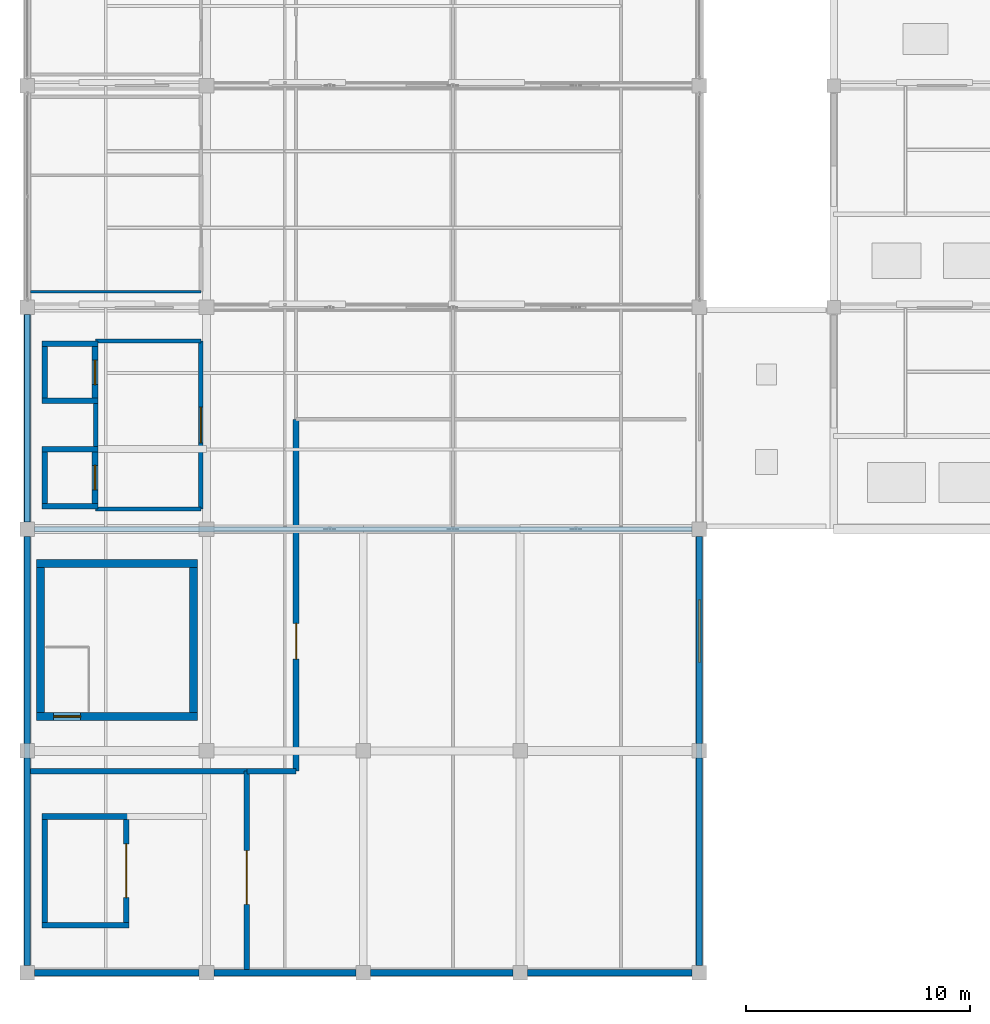
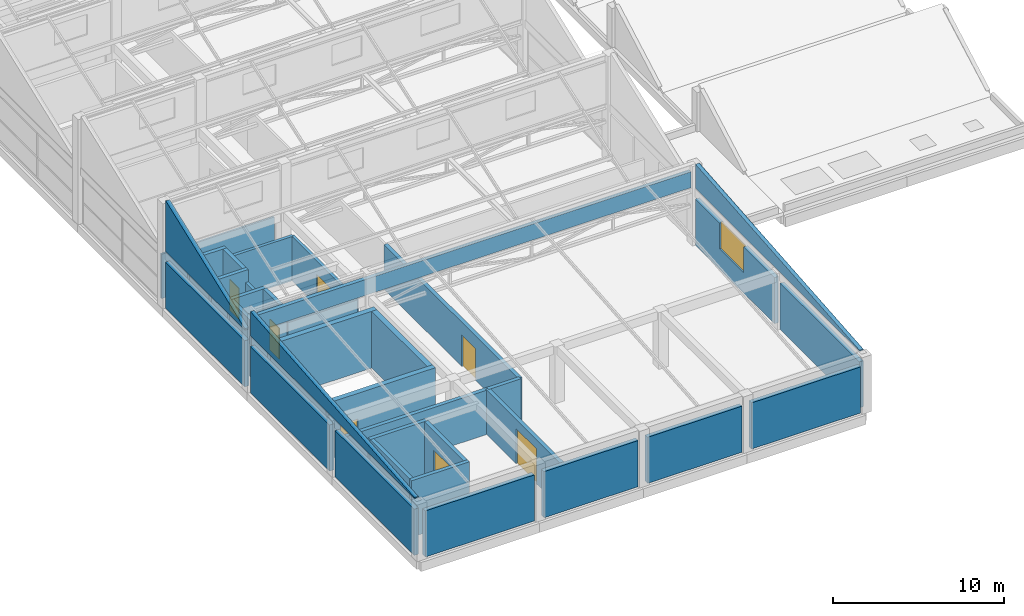
# One storey, part 29 of 35: 38 walls, 7 doors, 1 window, 8 openings.
"""IFC4 building model written with IfcOpenShell, lengths in metres."""

import ifcopenshell
import ifcopenshell.guid

model = None  # the IFC model being written
_history = None  # IfcOwnerHistory: only IFC2X3 demands one
_inside = {}  # id of a spatial element -> (the spatial element, [elements in it])
_under = {}  # id of a project, library or spatial element -> (it, [spatial elements below it])
_declared = {}  # id of a project -> (the project, [libraries it declares])
_typed = {}  # id of a type object -> (the type object, [elements of that type])
_made_of = {}  # id of a material, layer set ... -> (it, [elements and type objects made of it])


def new_model(schema):
    """Start an empty IFC model of exactly this schema.

    Asked for "IFC4X3", IfcOpenShell would pick the latest addendum, in which some entities
    have other attributes; the version numbers below select the first issue.
    IFC2X3 requires an IfcOwnerHistory on every rooted entity: one is made here for all.
    """
    global model, _history
    if schema == "IFC4X3":
        model = ifcopenshell.file(schema_version=(4, 3, 0, 0))
    else:
        model = ifcopenshell.file(schema=schema)
    _inside.clear()
    _under.clear()
    _declared.clear()
    _typed.clear()
    _made_of.clear()
    _history = None
    if model.schema == "IFC2X3":
        org = make("IfcOrganization", Name="unknown")
        user = make(
            "IfcPersonAndOrganization",
            ThePerson=make("IfcPerson", FamilyName="unknown"),
            TheOrganization=org,
        )
        app = make(
            "IfcApplication",
            ApplicationDeveloper=org,
            Version="unknown",
            ApplicationFullName="unknown",
            ApplicationIdentifier="unknown",
        )
        _history = make(
            "IfcOwnerHistory",
            OwningUser=user,
            OwningApplication=app,
            ChangeAction="ADDED",
            CreationDate=0,
        )
    return model


def make(cls, **values):
    """One entity of the class cls with the attributes given. An attribute that is None is left unset."""
    return model.create_entity(
        cls, **{name: value for name, value in values.items() if value is not None}
    )


def rooted(cls, **values):
    """An entity with a GlobalId (a new one), such as an element, a storey or a relation."""
    return make(cls, GlobalId=ifcopenshell.guid.new(), OwnerHistory=_history, **values)


def si_unit(unit_type, name, prefix=None):
    """IfcSIUnit, for example si_unit("LENGTHUNIT", "METRE", prefix="MILLI")."""
    return make("IfcSIUnit", UnitType=unit_type, Prefix=prefix, Name=name)


def assignment(units):
    """IfcUnitAssignment: the units of a project."""
    return None if units is None else make("IfcUnitAssignment", Units=units)


def point(xyz):
    """IfcCartesianPoint."""
    return None if xyz is None else make("IfcCartesianPoint", Coordinates=xyz)


def direction(xyz):
    """IfcDirection."""
    return None if xyz is None else make("IfcDirection", DirectionRatios=xyz)


def frame(location, z_axis=None, x_axis=None):
    """IfcAxis2Placement3D, a coordinate frame: its origin and axes. An axis left out is left unset."""
    return make(
        "IfcAxis2Placement3D",
        Location=point(location),
        Axis=direction(z_axis),
        RefDirection=direction(x_axis),
    )


def frame_2d(location, x_axis=None):
    """IfcAxis2Placement2D, a coordinate frame in the plane: its origin and x axis."""
    return make(
        "IfcAxis2Placement2D", Location=point(location), RefDirection=direction(x_axis)
    )


def origin():
    """The frame at (0, 0, 0) with its axes left unset."""
    return frame((0.0, 0.0, 0.0))


def place(relative_to, where):
    """IfcLocalPlacement: puts the frame where relative to a parent placement (None: the world)."""
    return make(
        "IfcLocalPlacement", PlacementRelTo=relative_to, RelativePlacement=where
    )


def context(
    kind, dimensions, precision=None, world=None, true_north=None, identifier=None
):
    """IfcGeometricRepresentationContext, for example the 3D "Model" context."""
    return make(
        "IfcGeometricRepresentationContext",
        ContextIdentifier=identifier,
        ContextType=kind,
        CoordinateSpaceDimension=dimensions,
        Precision=precision,
        WorldCoordinateSystem=world,
        TrueNorth=true_north,
    )


def subcontext(parent, identifier, kind, view, scale=None):
    """IfcGeometricRepresentationSubContext, for example "Body" below "Model"."""
    return make(
        "IfcGeometricRepresentationSubContext",
        ContextIdentifier=identifier,
        ContextType=kind,
        ParentContext=parent,
        TargetScale=scale,
        TargetView=view,
    )


def project(units=None, contexts=None):
    """IfcProject with its units and contexts."""
    return rooted(
        "IfcProject",
        Name="project",
        RepresentationContexts=contexts,
        UnitsInContext=assignment(units),
    )


def spatial(cls, under=None, at=None, **own):
    """A site, building, storey or space (cls), placed at a placement, below another one or the project."""
    s = rooted(cls, ObjectPlacement=at, **own)
    if under is not None:
        _under.setdefault(under.id(), (under, []))[1].append(s)
    return s


def polyline(points):
    """IfcPolyline through the points."""
    return make("IfcPolyline", Points=[point(p) for p in points])


def profile(cls, at=None, kind="AREA", **sizes):
    """A parametric profile (cls). Its sizes go by their IFC names, for example OverallWidth=200.0."""
    return make(cls, ProfileType=kind, Position=at, **sizes)


def rectangle(**sizes):
    """IfcRectangleProfileDef."""
    return profile("IfcRectangleProfileDef", **sizes)


def outline(outer, holes=None, kind="AREA"):
    """IfcArbitraryClosedProfileDef: a profile drawn as a closed curve; with holes, ...WithVoids."""
    if holes is None:
        return make("IfcArbitraryClosedProfileDef", ProfileType=kind, OuterCurve=outer)
    return make(
        "IfcArbitraryProfileDefWithVoids",
        ProfileType=kind,
        OuterCurve=outer,
        InnerCurves=holes,
    )


def extrude(swept, where, along, depth):
    """IfcExtrudedAreaSolid: the profile swept, set in the frame where, extruded along a direction by depth."""
    return make(
        "IfcExtrudedAreaSolid",
        SweptArea=swept,
        Position=where,
        ExtrudedDirection=direction(along),
        Depth=depth,
    )


def shape(context_of_items, identifier, shape_type, items):
    """IfcShapeRepresentation: the items that make up one representation, for example the "Body"."""
    return make(
        "IfcShapeRepresentation",
        ContextOfItems=context_of_items,
        RepresentationIdentifier=identifier,
        RepresentationType=shape_type,
        Items=items,
    )


def material(Name=None, Category=None):
    """IfcMaterial."""
    return make("IfcMaterial", Name=Name, Category=Category)


def layer(
    of_material, thickness, ventilated=None, Name=None, Category=None, Priority=None
):
    """IfcMaterialLayer: one layer of a wall or slab, of a material (None: an air gap)."""
    return make(
        "IfcMaterialLayer",
        Material=of_material,
        LayerThickness=thickness,
        IsVentilated=ventilated,
        Name=Name,
        Category=Category,
        Priority=Priority,
    )


def layer_set(layers, Name=None):
    """IfcMaterialLayerSet."""
    return make("IfcMaterialLayerSet", MaterialLayers=layers, LayerSetName=Name)


def made_of(thing, what):
    """Note that an element or type object is made of a material, layer set ...; save() writes the relation."""
    if what is not None:
        _made_of.setdefault(what.id(), (what, []))[1].append(thing)
    return thing


def type_object(cls, material=None, **own):
    """A type object (cls), such as IfcWallType, which elements share."""
    return made_of(rooted(cls, **own), material)


def element(
    cls,
    number,
    at=None,
    inside=None,
    cuts=None,
    type_object=None,
    material=None,
    context=None,
    identifier="Body",
    shape_type=None,
    held_by="IfcProductDefinitionShape",
    body=None,
    shapes=None,
    **own,
):
    """One element of the class cls, such as IfcWall. Its Tag is "e" and its number.

    at: its placement. inside: the storey or other place that contains it. cuts: it is an
    opening in that element (IfcRelVoidsElement). A single representation is given by context,
    identifier, shape_type and body (its items); several are given by shapes. held_by: the class
    of the entity that holds the representations. save() writes the other relations.
    """
    e = rooted(cls, Tag="e%d" % number, ObjectPlacement=at, **own)
    if body is not None:
        shapes = [shape(context, identifier, shape_type, body)]
    if shapes is not None:
        e.Representation = make(held_by, Representations=shapes)
    if inside is not None:
        _inside.setdefault(inside.id(), (inside, []))[1].append(e)
    if cuts is not None:
        rooted(
            "IfcRelVoidsElement", RelatingBuildingElement=cuts, RelatedOpeningElement=e
        )
    if type_object is not None:
        _typed.setdefault(type_object.id(), (type_object, []))[1].append(e)
    return made_of(e, material)


def fill(opening, filler):
    """IfcRelFillsElement: the door or window that sits in an opening."""
    return rooted(
        "IfcRelFillsElement",
        RelatingOpeningElement=opening,
        RelatedBuildingElement=filler,
    )


def aggregate(whole, parts):
    """IfcRelAggregates: a whole, such as a stair, and the parts it consists of."""
    return rooted("IfcRelAggregates", RelatingObject=whole, RelatedObjects=parts)


def save(model, path):
    """Write the relations noted so far, then the file.

    IfcRelAggregates (storeys below a building ...), IfcRelContainedInSpatialStructure (elements
    in a storey), IfcRelDefinesByType, IfcRelAssociatesMaterial and IfcRelDeclares: one each for
    every whole, place, type object, material and project.
    """
    for whole, parts in _under.values():
        aggregate(whole, parts)
    for where, things in _inside.values():
        rooted(
            "IfcRelContainedInSpatialStructure",
            RelatedElements=things,
            RelatingStructure=where,
        )
    for kind, things in _typed.values():
        rooted("IfcRelDefinesByType", RelatedObjects=things, RelatingType=kind)
    for what, things in _made_of.values():
        rooted("IfcRelAssociatesMaterial", RelatedObjects=things, RelatingMaterial=what)
    for by, libraries in _declared.values():
        rooted("IfcRelDeclares", RelatingContext=by, RelatedDefinitions=libraries)
    model.write(path)


model = new_model("IFC4")

# Units and contexts
model_context = context("Model", 3, precision=1e-05, world=origin(), true_north=direction((0.0, 1.0)))
body_context = subcontext(model_context, "Body", "Model", "MODEL_VIEW")
ifc_project = project(units=[si_unit("LENGTHUNIT", "METRE"), si_unit("AREAUNIT", "SQUARE_METRE"), si_unit("VOLUMEUNIT", "CUBIC_METRE"), si_unit("PLANEANGLEUNIT", "RADIAN"), si_unit("MASSUNIT", "GRAM", prefix="KILO")], contexts=[model_context])

# Site, building, storey
site_placement = place(None, origin())
site = spatial("IfcSite", under=ifc_project, at=site_placement, CompositionType="ELEMENT")
building_placement = place(site_placement, origin())
building = spatial("IfcBuilding", under=site, at=building_placement, Name="Sillaruma Civic Art Gallery", CompositionType="ELEMENT")
storey_placement = place(building_placement, frame((0.0, 0.0, 74.4599609375)))
storey = spatial("IfcBuildingStorey", under=building, at=storey_placement, Name="L15", CompositionType="ELEMENT", Elevation=74.4599609375)

# Wall, opening, door
ifc_material_1 = material(Name="Concrete H40 (40 MPa)", Category="concrete")
ifc_layer_1 = layer(ifc_material_1, 0.35009765625, Name="Concrete H40 (40 MPa)")
ifc_layer_set_1 = layer_set([ifc_layer_1], Name="Concrete H40 (40 MPa)")
wall_type_1 = type_object("IfcWallType", Name="WAL-CORE-350", PredefinedType="SHEAR", material=ifc_layer_set_1)
wall_1_placement = place(storey_placement, frame((62.409912109375, 31.235107421875, 0.0), z_axis=(0.0, 0.0, 1.0), x_axis=(1.0, 0.0, 0.0)))
wall_1 = element("IfcWall", 1, at=wall_1_placement, inside=storey, type_object=wall_type_1, Name="Stair Core Shear Wall W-CORE-350 (ST-03:L15:S)", PredefinedType="SHEAR", context=body_context, shape_type="SweptSolid", body=[
    extrude(rectangle(XDim=7.18017578125, YDim=0.35009765625, at=frame_2d((3.590087890625, 0.0))), origin(), (0.0, 0.0, 1.0), 4.0400390625),
])
opening_1_placement = place(wall_1_placement, frame((0.77001953125, 0.0, 0.0)))
opening_1 = element("IfcOpeningElement", 2, at=opening_1_placement, cuts=wall_1, Name="Opening D-STAIR", PredefinedType="OPENING", context=body_context, shape_type="SweptSolid", body=[
    extrude(rectangle(XDim=1.199951171875, YDim=2.199951171875, at=frame_2d((0.60009765625, 1.10009765625))), frame((0.0, 0.18505859375, 0.0), z_axis=(0.0, -1.0, 0.0), x_axis=(1.0, 0.0, 0.0)), (0.0, 0.0, 1.0), 0.3701171875),
])
ifc_material_2 = material(Name="Galvanised Steel ASTM A653 Gr.50", Category="steel")
door_type_1 = type_object("IfcDoorType", Name="DOR-STAIR-120", OperationType="NOTDEFINED", PredefinedType="DOOR", material=ifc_material_2)
door_1_placement = place(opening_1_placement, origin())
door_1 = element("IfcDoor", 3, at=door_1_placement, inside=storey, type_object=door_type_1, Name="Protected Stair Fire Door (ST-03:L15)", OperationType="SINGLE_SWING_LEFT", OverallHeight=2.199951171875, OverallWidth=1.199951171875, PredefinedType="DOOR", context=body_context, shape_type="SweptSolid", body=[
    extrude(rectangle(XDim=1.199951171875, YDim=2.199951171875, at=frame_2d((0.60009765625, 1.10009765625))), frame((0.0, 0.02490234375, 0.0), z_axis=(0.0, -1.0, 0.0), x_axis=(1.0, 0.0, 0.0)), (0.0, 0.0, 1.0), 0.050048828125),
])
fill(opening_1, door_1)

# Walls
wall_2_placement = place(storey_placement, frame((62.409912109375, 38.06494140625, 0.0), z_axis=(0.0, 0.0, 1.0), x_axis=(1.0, 0.0, 0.0)))
element("IfcWall", 4, at=wall_2_placement, inside=storey, type_object=wall_type_1, Name="Stair Core Shear Wall W-CORE-350 (ST-03:L15:N)", PredefinedType="SHEAR", context=body_context, shape_type="SweptSolid", body=[
    extrude(rectangle(XDim=7.18017578125, YDim=0.35009765625, at=frame_2d((3.590087890625, 0.0))), origin(), (0.0, 0.0, 1.0), 4.0400390625),
])
for number, where, z_axis, x_axis, name in (
    (5, (62.5849609375, 31.409912109375, 0.0), (0.0, 0.0, 1.0), (0.0, 1.0, 0.0), "Stair Core Shear Wall W-CORE-350 (ST-03:L15:W)"),
    (6, (69.4150390625, 31.409912109375, 0.0), (0.0, 0.0, 1.0), (0.0, 1.0, 0.0), "Stair Core Shear Wall W-CORE-350 (ST-03:L15:E)"),
):
    element("IfcWall", number, at=place(storey_placement, frame(where, z_axis=z_axis, x_axis=x_axis)), inside=storey, type_object=wall_type_1, Name=name, PredefinedType="SHEAR", context=body_context, shape_type="SweptSolid", body=[
        extrude(rectangle(XDim=6.47998046875, YDim=0.35009765625, at=frame_2d((3.239990234375, 0.0))), origin(), (0.0, 0.0, 1.0), 4.0400390625),
    ])
ifc_material_3 = material(Name="Concrete H35 (35 MPa)", Category="concrete")
ifc_layer_2 = layer(ifc_material_3, 0.14990234375, Name="Spandrel concrete", Category="concrete")
ifc_material_4 = material(Name="Mineral Wool Thermal Insulation", Category="insulation")
ifc_layer_3 = layer(ifc_material_4, 0.080078125, Name="Thermal insulation", Category="insulation")
ifc_material_5 = material(Name="Anodised Zinc-Aluminium Alloy", Category="aluminium")
ifc_layer_4 = layer(ifc_material_5, 0.030029296875, Name="Cladding finish", Category="aluminium")
ifc_layer_set_2 = layer_set([ifc_layer_2, ifc_layer_3, ifc_layer_4], Name="W-EXT-260")
wall_type_2 = type_object("IfcWallType", Name="WAL-EXT-260", PredefinedType="SOLIDWALL", material=ifc_layer_set_2)
wall_3_placement = place(storey_placement, frame((62.324951171875, 39.60009765625, 4.0400390625), z_axis=(0.0, 0.0, 1.0), x_axis=(1.0, 0.0, 0.0)))
element("IfcWall", 7, at=wall_3_placement, inside=storey, type_object=wall_type_2, Name="Exterior Wall W-EXT-260 (SAW-L15-MON-S)", PredefinedType="SOLIDWALL", context=body_context, shape_type="SweptSolid", body=[
    extrude(rectangle(XDim=29.35009765625, YDim=0.260009765625, at=frame_2d((14.675048828125, 0.0))), origin(), (0.0, 0.0, 1.0), 1.135498046875),
])
for number, where, z_axis, x_axis, name in (
    (8, (62.0, 20.125, 4.0400390625), (0.0, 0.0, 1.0), (0.0, 1.0, 0.0), "Crown Mono-Pitch Gable Cheek (S-W)"),
    (9, (92.0, 20.125, 4.0400390625), (0.0, 0.0, 1.0), (0.0, 1.0, 0.0), "Crown Mono-Pitch Gable Cheek (S-E)"),
):
    element("IfcWall", number, at=place(storey_placement, frame(where, z_axis=z_axis, x_axis=x_axis)), inside=storey, type_object=wall_type_2, Name=name, PredefinedType="SOLIDWALL", context=body_context, shape_type="SweptSolid", body=[
        extrude(outline(polyline([(0.0, 0.0), (19.14990234375, 0.0), (19.14990234375, 1.719970703125), (0.0, 0.080078125), (0.0, 0.0)])), frame((0.0, 0.1298828125, 0.0), z_axis=(0.0, -1.0, 0.0), x_axis=(1.0, 0.0, 0.0)), (0.0, 0.0, 1.0), 0.260009765625),
    ])
wall_4_placement = place(storey_placement, frame((62.0, 39.925048828125, 4.0400390625), z_axis=(0.0, 0.0, 1.0), x_axis=(0.0, 1.0, 0.0)))
element("IfcWall", 10, at=wall_4_placement, inside=storey, type_object=wall_type_2, Name="Sawtooth Monitor Gable Cheek (1-W)", PredefinedType="SOLIDWALL", context=body_context, shape_type="SweptSolid", body=[
    extrude(outline(polyline([(0.0, 0.0), (9.25, 0.0), (9.25, 3.6201171875), (0.0, 0.10009765625), (0.0, 0.0)])), frame((0.0, 0.1298828125, 0.0), z_axis=(0.0, -1.0, 0.0), x_axis=(1.0, 0.0, 0.0)), (0.0, 0.0, 1.0), 0.260009765625),
])
ifc_layer_5 = layer(ifc_material_3, 0.159912109375, Name="Concrete backup", Category="concrete")
ifc_layer_6 = layer(ifc_material_4, 0.090087890625, Name="Thermal insulation", Category="insulation")
ifc_layer_7 = layer(ifc_material_5, 0.030029296875, Name="Rainscreen finish", Category="aluminium")
ifc_layer_set_3 = layer_set([ifc_layer_5, ifc_layer_6, ifc_layer_7], Name="W-EXT-280")
wall_type_3 = type_object("IfcWallType", Name="WAL-EXT-280", PredefinedType="SOLIDWALL", material=ifc_layer_set_3)
wall_5_placement = place(storey_placement, frame((92.0, 20.125, 0.0), z_axis=(0.0, 0.0, 1.0), x_axis=(0.0, 1.0, 0.0)))
element("IfcWall", 11, at=wall_5_placement, inside=storey, type_object=wall_type_3, Name="Exterior Wall W-EXT-280 (EW-L15-WBE-1)", PredefinedType="SOLIDWALL", context=body_context, shape_type="SweptSolid", body=[
    extrude(rectangle(XDim=9.25, YDim=0.280029296875, at=frame_2d((4.625, 0.0))), origin(), (0.0, 0.0, 1.0), 3.2900390625),
])

# Wall, opening, window
wall_6_placement = place(storey_placement, frame((92.0, 30.02490234375, 0.0), z_axis=(0.0, 0.0, 1.0), x_axis=(0.0, 1.0, 0.0)))
wall_6 = element("IfcWall", 12, at=wall_6_placement, inside=storey, type_object=wall_type_3, Name="Exterior Wall W-EXT-280 (EW-L15-WBE-2)", PredefinedType="SOLIDWALL", context=body_context, shape_type="SweptSolid", body=[
    extrude(rectangle(XDim=9.25, YDim=0.280029296875, at=frame_2d((4.625, 0.0))), origin(), (0.0, 0.0, 1.0), 3.2900390625),
])
opening_2_placement = place(wall_6_placement, frame((3.625, 0.0, 1.449951171875)))
opening_2 = element("IfcOpeningElement", 13, at=opening_2_placement, cuts=wall_6, Name="Opening WN-09", PredefinedType="OPENING", context=body_context, shape_type="SweptSolid", body=[
    extrude(rectangle(XDim=2.800048828125, YDim=1.89990234375, at=frame_2d((1.39990234375, 0.949951171875))), frame((0.0, 0.14990234375, 0.0), z_axis=(0.0, -1.0, 0.0), x_axis=(1.0, 0.0, 0.0)), (0.0, 0.0, 1.0), 0.300048828125),
])
ifc_material_6 = material(Name="Thermally Broken Extruded Aluminium 6063-T6", Category="aluminium")
window_type = type_object("IfcWindowType", Name="WIN-W09", PartitioningType="SINGLE_PANEL", PredefinedType="WINDOW", material=ifc_material_6)
window_placement = place(opening_2_placement, origin())
window = element("IfcWindow", 14, at=window_placement, inside=storey, type_object=window_type, Name="Window WN-09 (EW-L15-WBE-2-1)", OverallHeight=1.89990234375, OverallWidth=2.800048828125, PartitioningType="SINGLE_PANEL", PredefinedType="WINDOW", context=body_context, shape_type="SweptSolid", body=[
    extrude(rectangle(XDim=2.800048828125, YDim=1.89990234375, at=frame_2d((1.39990234375, 0.949951171875))), frame((0.0, 0.030029296875, 0.0), z_axis=(0.0, -1.0, 0.0), x_axis=(1.0, 0.0, 0.0)), (0.0, 0.0, 1.0), 0.06005859375),
])
fill(opening_2, window)

# Walls
ifc_layer_8 = layer(ifc_material_3, 0.169921875, Name="Concrete backup", Category="concrete")
ifc_layer_9 = layer(ifc_material_4, 0.090087890625, Name="Thermal insulation", Category="insulation")
ifc_layer_10 = layer(ifc_material_5, 0.030029296875, Name="Rainscreen finish", Category="aluminium")
ifc_layer_set_4 = layer_set([ifc_layer_8, ifc_layer_9, ifc_layer_10], Name="W-EXT-290")
wall_type_4 = type_object("IfcWallType", Name="WAL-EXT-290", PredefinedType="SOLIDWALL", material=ifc_layer_set_4)
for number, where, z_axis, x_axis, name in (
    (15, (62.0, 20.125, 0.0), (0.0, 0.0, 1.0), (0.0, 1.0, 0.0), "Exterior Wall W-EXT-290 (EW-L15-WBW-1)"),
    (16, (62.0, 30.02490234375, 0.0), (0.0, 0.0, 1.0), (0.0, 1.0, 0.0), "Exterior Wall W-EXT-290 (EW-L15-WBW-2)"),
    (17, (62.0, 39.925048828125, 0.0), (0.0, 0.0, 1.0), (0.0, 1.0, 0.0), "Exterior Wall W-EXT-290 (EW-L15-WBW-3)"),
):
    element("IfcWall", number, at=place(storey_placement, frame(where, z_axis=z_axis, x_axis=x_axis)), inside=storey, type_object=wall_type_4, Name=name, PredefinedType="SOLIDWALL", context=body_context, shape_type="SweptSolid", body=[
        extrude(rectangle(XDim=9.25, YDim=0.2900390625, at=frame_2d((4.625, 0.0))), origin(), (0.0, 0.0, 1.0), 3.2900390625),
    ])
ifc_material_7 = material(Name="Precast Concrete H35 (35 MPa)", Category="concrete")
ifc_layer_11 = layer(ifc_material_7, 0.179931640625, Name="Precast backup", Category="concrete")
ifc_layer_12 = layer(ifc_material_4, 0.090087890625, Name="Thermal insulation", Category="insulation")
ifc_material_8 = material(Name="Comanche Granitic Ashlar Stone", Category="masonry")
ifc_layer_13 = layer(ifc_material_8, 0.030029296875, Name="Rainscreen cladding", Category="masonry")
ifc_layer_set_5 = layer_set([ifc_layer_11, ifc_layer_12, ifc_layer_13], Name="W-EXT-300")
wall_type_5 = type_object("IfcWallType", Name="WAL-EXT-300", PredefinedType="SOLIDWALL", material=ifc_layer_set_5)
wall_7_placement = place(storey_placement, frame((62.324951171875, 19.800048828125, 0.0), z_axis=(0.0, 0.0, 1.0), x_axis=(1.0, 0.0, 0.0)))
element("IfcWall", 18, at=wall_7_placement, inside=storey, type_object=wall_type_5, Name="Exterior Wall W-EXT-300 (EW-L15-WBS-1)", PredefinedType="SOLIDWALL", context=body_context, shape_type="SweptSolid", body=[
    extrude(rectangle(XDim=7.35009765625, YDim=0.300048828125, at=frame_2d((3.675048828125, 0.0))), origin(), (0.0, 0.0, 1.0), 3.2900390625),
])
for number, where, z_axis, x_axis, name in (
    (19, (70.324951171875, 19.800048828125, 0.0), (0.0, 0.0, 1.0), (1.0, 0.0, 0.0), "Exterior Wall W-EXT-300 (EW-L15-WBS-2)"),
    (20, (77.324951171875, 19.800048828125, 0.0), (0.0, 0.0, 1.0), (1.0, 0.0, 0.0), "Exterior Wall W-EXT-300 (EW-L15-WBS-3)"),
):
    element("IfcWall", number, at=place(storey_placement, frame(where, z_axis=z_axis, x_axis=x_axis)), inside=storey, type_object=wall_type_5, Name=name, PredefinedType="SOLIDWALL", context=body_context, shape_type="SweptSolid", body=[
        extrude(rectangle(XDim=6.35009765625, YDim=0.300048828125, at=frame_2d((3.175048828125, 0.0))), origin(), (0.0, 0.0, 1.0), 3.2900390625),
    ])
wall_8_placement = place(storey_placement, frame((84.324951171875, 19.800048828125, 0.0), z_axis=(0.0, 0.0, 1.0), x_axis=(1.0, 0.0, 0.0)))
element("IfcWall", 21, at=wall_8_placement, inside=storey, type_object=wall_type_5, Name="Exterior Wall W-EXT-300 (EW-L15-WBS-4)", PredefinedType="SOLIDWALL", context=body_context, shape_type="SweptSolid", body=[
    extrude(rectangle(XDim=7.35009765625, YDim=0.300048828125, at=frame_2d((3.675048828125, 0.0))), origin(), (0.0, 0.0, 1.0), 3.2900390625),
])
ifc_material_9 = material(Name="Concrete Masonry Unit Grade M15", Category="masonry")
ifc_layer_14 = layer(ifc_material_9, 0.199951171875, Name="Concrete Masonry Unit Grade M15")
ifc_layer_set_6 = layer_set([ifc_layer_14], Name="Concrete Masonry Unit Grade M15")
wall_type_6 = type_object("IfcWallType", Name="WAL-LOBBY-200", PredefinedType="SOLIDWALL", material=ifc_layer_set_6)
for number, where, z_axis, x_axis, name in (
    (22, (65.050048828125, 40.5, 0.0), (0.0, 0.0, 1.0), (1.0, 0.0, 0.0), "Interior Wall W-LOBBY-200 (L15-LLW)"),
    (23, (65.050048828125, 48.0, 0.0), (0.0, 0.0, 1.0), (1.0, 0.0, 0.0), "Interior Wall W-LOBBY-200 (L15-LLW)"),
):
    element("IfcWall", number, at=place(storey_placement, frame(where, z_axis=z_axis, x_axis=x_axis)), inside=storey, type_object=wall_type_6, Name=name, PredefinedType="SOLIDWALL", context=body_context, shape_type="SweptSolid", body=[
        extrude(rectangle(XDim=4.699951171875, YDim=0.199951171875, at=frame_2d((2.35009765625, 0.0))), origin(), (0.0, 0.0, 1.0), 3.16015625),
    ])
wall_9_placement = place(storey_placement, frame((65.050048828125, 43.300048828125, 0.0), z_axis=(0.0, 0.0, 1.0), x_axis=(0.0, 1.0, 0.0)))
element("IfcWall", 24, at=wall_9_placement, inside=storey, type_object=wall_type_6, Name="Interior Wall W-LOBBY-200 (L15-LLW)", PredefinedType="SOLIDWALL", context=body_context, shape_type="SweptSolid", body=[
    extrude(rectangle(XDim=1.89990234375, YDim=0.199951171875, at=frame_2d((0.949951171875, 0.0))), origin(), (0.0, 0.0, 1.0), 3.16015625),
])

# Wall, opening, door
wall_10_placement = place(storey_placement, frame((69.75, 40.5, 0.0), z_axis=(0.0, 0.0, 1.0), x_axis=(0.0, 1.0, 0.0)))
wall_10 = element("IfcWall", 25, at=wall_10_placement, inside=storey, type_object=wall_type_6, Name="Interior Wall W-LOBBY-200 (L15-LLW)", PredefinedType="SOLIDWALL", context=body_context, shape_type="SweptSolid", body=[
    extrude(rectangle(XDim=7.5, YDim=0.199951171875, at=frame_2d((3.75, 0.0))), origin(), (0.0, 0.0, 1.0), 3.16015625),
])
opening_3_placement = place(wall_10_placement, frame((2.949951171875, 0.0, 0.0)))
opening_3 = element("IfcOpeningElement", 26, at=opening_3_placement, cuts=wall_10, Name="Opening D-LOBBY", PredefinedType="OPENING", context=body_context, shape_type="SweptSolid", body=[
    extrude(rectangle(XDim=1.60009765625, YDim=2.199951171875, at=frame_2d((0.800048828125, 1.10009765625))), frame((0.0, 0.10986328125, 0.0), z_axis=(0.0, -1.0, 0.0), x_axis=(1.0, 0.0, 0.0)), (0.0, 0.0, 1.0), 0.219970703125),
])
door_type_2 = type_object("IfcDoorType", Name="DOR-LOBBY-160", OperationType="NOTDEFINED", PredefinedType="DOOR", material=ifc_material_6)
door_2_placement = place(opening_3_placement, origin())
door_2 = element("IfcDoor", 27, at=door_2_placement, inside=storey, type_object=door_type_2, Name="West Lift Lobby Door (D-LOBBY)", OperationType="DOUBLE_DOOR_SINGLE_SWING", OverallHeight=2.199951171875, OverallWidth=1.60009765625, PredefinedType="DOOR", context=body_context, shape_type="SweptSolid", body=[
    extrude(rectangle(XDim=1.60009765625, YDim=2.199951171875, at=frame_2d((0.800048828125, 1.10009765625))), frame((0.0, 0.02490234375, 0.0), z_axis=(0.0, -1.0, 0.0), x_axis=(1.0, 0.0, 0.0)), (0.0, 0.0, 1.0), 0.050048828125),
])
fill(opening_3, door_2)

# Walls
ifc_material_10 = material(Name="Gypsum Acoustic Board", Category="gypsum")
ifc_layer_15 = layer(ifc_material_10, 0.02490234375, Name="Finish board", Category="gypsum")
ifc_layer_16 = layer(ifc_material_4, 0.070068359375, Name="Acoustic core", Category="insulation")
ifc_material_11 = material(Name="Andean Oak Timber", Category="wood")
ifc_layer_17 = layer(ifc_material_11, 0.02490234375, Name="Gallery lining", Category="wood")
ifc_layer_set_7 = layer_set([ifc_layer_15, ifc_layer_16, ifc_layer_17], Name="W-PT-120")
wall_type_7 = type_object("IfcWallType", Name="WAL-PART-120", PredefinedType="PARTITIONING", material=ifc_layer_set_7)
wall_11_placement = place(storey_placement, frame((62.14990234375, 50.199951171875, 0.0), z_axis=(0.0, 0.0, 1.0), x_axis=(1.0, 0.0, 0.0)))
element("IfcWall", 28, at=wall_11_placement, inside=storey, type_object=wall_type_7, Name="Interior Wall W-PT-120 (L15-WC1)", PredefinedType="PARTITIONING", context=body_context, shape_type="SweptSolid", body=[
    extrude(rectangle(XDim=7.60009765625, YDim=0.1201171875, at=frame_2d((3.800048828125, 0.0))), origin(), (0.0, 0.0, 1.0), 3.16015625),
])
ifc_layer_18 = layer(ifc_material_1, 0.25, Name="Concrete H40 (40 MPa)")
ifc_layer_set_8 = layer_set([ifc_layer_18], Name="Concrete H40 (40 MPa)")
wall_type_8 = type_object("IfcWallType", Name="WAL-SHAFT-250", PredefinedType="SOLIDWALL", material=ifc_layer_set_8)
for number, where, z_axis, x_axis, name in (
    (29, (62.64990234375, 40.625, 0.0), (0.0, 0.0, 1.0), (1.0, 0.0, 0.0), "Lift Shaft Wall W-SHAFT-250 (PL-01:L15:S)"),
    (30, (62.64990234375, 43.175048828125, 0.0), (0.0, 0.0, 1.0), (1.0, 0.0, 0.0), "Lift Shaft Wall W-SHAFT-250 (PL-01:L15:N)"),
):
    element("IfcWall", number, at=place(storey_placement, frame(where, z_axis=z_axis, x_axis=x_axis)), inside=storey, type_object=wall_type_8, Name=name, PredefinedType="SOLIDWALL", context=body_context, shape_type="SweptSolid", body=[
        extrude(rectangle(XDim=2.5, YDim=0.25, at=frame_2d((1.25, 0.0))), origin(), (0.0, 0.0, 1.0), 4.02001953125),
    ])
wall_12_placement = place(storey_placement, frame((62.77490234375, 40.75, 0.0), z_axis=(0.0, 0.0, 1.0), x_axis=(0.0, 1.0, 0.0)))
element("IfcWall", 31, at=wall_12_placement, inside=storey, type_object=wall_type_8, Name="Lift Shaft Wall W-SHAFT-250 (PL-01:L15:W)", PredefinedType="SOLIDWALL", context=body_context, shape_type="SweptSolid", body=[
    extrude(rectangle(XDim=2.300048828125, YDim=0.25, at=frame_2d((1.14990234375, 0.0))), origin(), (0.0, 0.0, 1.0), 4.02001953125),
])

# Wall, opening, door
wall_13_placement = place(storey_placement, frame((65.02490234375, 40.75, 0.0), z_axis=(0.0, 0.0, 1.0), x_axis=(0.0, 1.0, 0.0)))
wall_13 = element("IfcWall", 32, at=wall_13_placement, inside=storey, type_object=wall_type_8, Name="Lift Shaft Wall W-SHAFT-250 (PL-01:L15:E)", PredefinedType="SOLIDWALL", context=body_context, shape_type="SweptSolid", body=[
    extrude(rectangle(XDim=2.300048828125, YDim=0.25, at=frame_2d((1.14990234375, 0.0))), origin(), (0.0, 0.0, 1.0), 4.02001953125),
])
opening_4_placement = place(wall_13_placement, frame((0.60009765625, 0.0, 0.0)))
opening_4 = element("IfcOpeningElement", 33, at=opening_4_placement, cuts=wall_13, Name="Opening LD-01", PredefinedType="OPENING", context=body_context, shape_type="SweptSolid", body=[
    extrude(rectangle(XDim=1.10009765625, YDim=2.199951171875, at=frame_2d((0.550048828125, 1.10009765625))), frame((0.0, 0.135009765625, 0.0), z_axis=(0.0, -1.0, 0.0), x_axis=(1.0, 0.0, 0.0)), (0.0, 0.0, 1.0), 0.27001953125),
])
door_type_3 = type_object("IfcDoorType", Name="DOR-LD-01", OperationType="NOTDEFINED", PredefinedType="DOOR", material=ifc_material_2)
door_3_placement = place(opening_4_placement, origin())
door_3 = element("IfcDoor", 34, at=door_3_placement, inside=storey, type_object=door_type_3, Name="Lift Sliding Landing Door LD-01 (PL-01:L15)", OperationType="DOUBLE_DOOR_SLIDING", OverallHeight=2.199951171875, OverallWidth=1.10009765625, PredefinedType="DOOR", context=body_context, shape_type="SweptSolid", body=[
    extrude(rectangle(XDim=1.10009765625, YDim=2.199951171875, at=frame_2d((0.550048828125, 1.10009765625))), frame((0.0, 0.02490234375, 0.0), z_axis=(0.0, -1.0, 0.0), x_axis=(1.0, 0.0, 0.0)), (0.0, 0.0, 1.0), 0.050048828125),
])
fill(opening_4, door_3)

# Walls
for number, where, z_axis, x_axis, name in (
    (35, (62.64990234375, 45.324951171875, 0.0), (0.0, 0.0, 1.0), (1.0, 0.0, 0.0), "Lift Shaft Wall W-SHAFT-250 (PL-02:L15:S)"),
    (36, (62.64990234375, 47.875, 0.0), (0.0, 0.0, 1.0), (1.0, 0.0, 0.0), "Lift Shaft Wall W-SHAFT-250 (PL-02:L15:N)"),
):
    element("IfcWall", number, at=place(storey_placement, frame(where, z_axis=z_axis, x_axis=x_axis)), inside=storey, type_object=wall_type_8, Name=name, PredefinedType="SOLIDWALL", context=body_context, shape_type="SweptSolid", body=[
        extrude(rectangle(XDim=2.5, YDim=0.25, at=frame_2d((1.25, 0.0))), origin(), (0.0, 0.0, 1.0), 4.02001953125),
    ])
wall_14_placement = place(storey_placement, frame((62.77490234375, 45.449951171875, 0.0), z_axis=(0.0, 0.0, 1.0), x_axis=(0.0, 1.0, 0.0)))
element("IfcWall", 37, at=wall_14_placement, inside=storey, type_object=wall_type_8, Name="Lift Shaft Wall W-SHAFT-250 (PL-02:L15:W)", PredefinedType="SOLIDWALL", context=body_context, shape_type="SweptSolid", body=[
    extrude(rectangle(XDim=2.300048828125, YDim=0.25, at=frame_2d((1.14990234375, 0.0))), origin(), (0.0, 0.0, 1.0), 4.02001953125),
])

# Wall, opening, door
wall_15_placement = place(storey_placement, frame((65.02490234375, 45.449951171875, 0.0), z_axis=(0.0, 0.0, 1.0), x_axis=(0.0, 1.0, 0.0)))
wall_15 = element("IfcWall", 38, at=wall_15_placement, inside=storey, type_object=wall_type_8, Name="Lift Shaft Wall W-SHAFT-250 (PL-02:L15:E)", PredefinedType="SOLIDWALL", context=body_context, shape_type="SweptSolid", body=[
    extrude(rectangle(XDim=2.300048828125, YDim=0.25, at=frame_2d((1.14990234375, 0.0))), origin(), (0.0, 0.0, 1.0), 4.02001953125),
])
opening_5_placement = place(wall_15_placement, frame((0.60009765625, 0.0, 0.0)))
opening_5 = element("IfcOpeningElement", 39, at=opening_5_placement, cuts=wall_15, Name="Opening LD-01", PredefinedType="OPENING", context=body_context, shape_type="SweptSolid", body=[
    extrude(rectangle(XDim=1.10009765625, YDim=2.199951171875, at=frame_2d((0.550048828125, 1.10009765625))), frame((0.0, 0.135009765625, 0.0), z_axis=(0.0, -1.0, 0.0), x_axis=(1.0, 0.0, 0.0)), (0.0, 0.0, 1.0), 0.27001953125),
])
door_4_placement = place(opening_5_placement, origin())
door_4 = element("IfcDoor", 40, at=door_4_placement, inside=storey, type_object=door_type_3, Name="Lift Sliding Landing Door LD-01 (PL-02:L15)", OperationType="DOUBLE_DOOR_SLIDING", OverallHeight=2.199951171875, OverallWidth=1.10009765625, PredefinedType="DOOR", context=body_context, shape_type="SweptSolid", body=[
    extrude(rectangle(XDim=1.10009765625, YDim=2.199951171875, at=frame_2d((0.550048828125, 1.10009765625))), frame((0.0, 0.02490234375, 0.0), z_axis=(0.0, -1.0, 0.0), x_axis=(1.0, 0.0, 0.0)), (0.0, 0.0, 1.0), 0.050048828125),
])
fill(opening_5, door_4)

# Walls
for number, where, z_axis, x_axis, name in (
    (41, (62.64990234375, 21.925048828125, 0.0), (0.0, 0.0, 1.0), (1.0, 0.0, 0.0), "Lift Shaft Wall W-SHAFT-250 (GL-01:L15:S)"),
    (42, (62.64990234375, 26.77490234375, 0.0), (0.0, 0.0, 1.0), (1.0, 0.0, 0.0), "Lift Shaft Wall W-SHAFT-250 (GL-01:L15:N)"),
):
    element("IfcWall", number, at=place(storey_placement, frame(where, z_axis=z_axis, x_axis=x_axis)), inside=storey, type_object=wall_type_8, Name=name, PredefinedType="SOLIDWALL", context=body_context, shape_type="SweptSolid", body=[
        extrude(rectangle(XDim=3.900146484375, YDim=0.25, at=frame_2d((1.9501953125, 0.0))), origin(), (0.0, 0.0, 1.0), 4.02001953125),
    ])
wall_16_placement = place(storey_placement, frame((62.77490234375, 22.050048828125, 0.0), z_axis=(0.0, 0.0, 1.0), x_axis=(0.0, 1.0, 0.0)))
element("IfcWall", 43, at=wall_16_placement, inside=storey, type_object=wall_type_8, Name="Lift Shaft Wall W-SHAFT-250 (GL-01:L15:W)", PredefinedType="SOLIDWALL", context=body_context, shape_type="SweptSolid", body=[
    extrude(rectangle(XDim=4.599853515625, YDim=0.25, at=frame_2d((2.2998046875, 0.0))), origin(), (0.0, 0.0, 1.0), 4.02001953125),
])

# Wall, opening, door
wall_17_placement = place(storey_placement, frame((66.425048828125, 22.050048828125, 0.0), z_axis=(0.0, 0.0, 1.0), x_axis=(0.0, 1.0, 0.0)))
wall_17 = element("IfcWall", 44, at=wall_17_placement, inside=storey, type_object=wall_type_8, Name="Lift Shaft Wall W-SHAFT-250 (GL-01:L15:E)", PredefinedType="SOLIDWALL", context=body_context, shape_type="SweptSolid", body=[
    extrude(rectangle(XDim=4.599853515625, YDim=0.25, at=frame_2d((2.2998046875, 0.0))), origin(), (0.0, 0.0, 1.0), 4.02001953125),
])
opening_6_placement = place(wall_17_placement, frame((1.10009765625, 0.0, 0.0)))
opening_6 = element("IfcOpeningElement", 45, at=opening_6_placement, cuts=wall_17, Name="Opening LD-03", PredefinedType="OPENING", context=body_context, shape_type="SweptSolid", body=[
    extrude(rectangle(XDim=2.39990234375, YDim=2.64990234375, at=frame_2d((1.199951171875, 1.324951171875))), frame((0.0, 0.135009765625, 0.0), z_axis=(0.0, -1.0, 0.0), x_axis=(1.0, 0.0, 0.0)), (0.0, 0.0, 1.0), 0.27001953125),
])
door_type_4 = type_object("IfcDoorType", Name="DOR-LD-03", OperationType="NOTDEFINED", PredefinedType="DOOR", material=ifc_material_2)
door_5_placement = place(opening_6_placement, origin())
door_5 = element("IfcDoor", 46, at=door_5_placement, inside=storey, type_object=door_type_4, Name="Lift Sliding Landing Door LD-03 (GL-01:L15)", OperationType="DOUBLE_DOOR_SLIDING", OverallHeight=2.64990234375, OverallWidth=2.39990234375, PredefinedType="DOOR", context=body_context, shape_type="SweptSolid", body=[
    extrude(rectangle(XDim=2.39990234375, YDim=2.64990234375, at=frame_2d((1.199951171875, 1.324951171875))), frame((0.0, 0.02490234375, 0.0), z_axis=(0.0, -1.0, 0.0), x_axis=(1.0, 0.0, 0.0)), (0.0, 0.0, 1.0), 0.050048828125),
])
fill(opening_6, door_5)

# Wall
ifc_layer_19 = layer(ifc_material_9, 0.2548828125, Name="Concrete Masonry Unit Grade M15")
ifc_layer_set_9 = layer_set([ifc_layer_19], Name="Concrete Masonry Unit Grade M15")
wall_type_9 = type_object("IfcWallType", Name="WAL-STORE-250", PredefinedType="SOLIDWALL", material=ifc_layer_set_9)
wall_18_placement = place(storey_placement, frame((62.14990234375, 28.800048828125, 0.0), z_axis=(0.0, 0.0, 1.0), x_axis=(1.0, 0.0, 0.0)))
element("IfcWall", 47, at=wall_18_placement, inside=storey, type_object=wall_type_9, Name="Interior Wall W-STORE-250 (L15-AIR)", PredefinedType="SOLIDWALL", context=body_context, shape_type="SweptSolid", body=[
    extrude(rectangle(XDim=9.650146484375, YDim=0.2548828125, at=frame_2d((4.8251953125, 0.0))), origin(), (0.0, 0.0, 1.0), 3.16015625),
])

# Wall, opening, door
wall_19_placement = place(storey_placement, frame((71.800048828125, 19.949951171875, 0.0), z_axis=(0.0, 0.0, 1.0), x_axis=(0.0, 1.0, 0.0)))
wall_19 = element("IfcWall", 48, at=wall_19_placement, inside=storey, type_object=wall_type_9, Name="Interior Wall W-STORE-250 (L15-AIR)", PredefinedType="SOLIDWALL", context=body_context, shape_type="SweptSolid", body=[
    extrude(rectangle(XDim=8.85009765625, YDim=0.2548828125, at=frame_2d((4.425048828125, 0.0))), origin(), (0.0, 0.0, 1.0), 3.16015625),
])
opening_7_placement = place(wall_19_placement, frame((2.89990234375, 0.0, 0.0)))
opening_7 = element("IfcOpeningElement", 49, at=opening_7_placement, cuts=wall_19, Name="Opening D-STR24", PredefinedType="OPENING", context=body_context, shape_type="SweptSolid", body=[
    extrude(rectangle(XDim=2.39990234375, YDim=2.5, at=frame_2d((1.199951171875, 1.25))), frame((0.0, 0.137451171875, 0.0), z_axis=(0.0, -1.0, 0.0), x_axis=(1.0, 0.0, 0.0)), (0.0, 0.0, 1.0), 0.27490234375),
])
door_type_5 = type_object("IfcDoorType", Name="DOR-STORE-240", OperationType="NOTDEFINED", PredefinedType="DOOR", material=ifc_material_2)
door_6_placement = place(opening_7_placement, origin())
door_6 = element("IfcDoor", 50, at=door_6_placement, inside=storey, type_object=door_type_5, Name="Crate Airlock Door (D-STR24)", OperationType="DOUBLE_DOOR_SINGLE_SWING", OverallHeight=2.5, OverallWidth=2.39990234375, PredefinedType="DOOR", context=body_context, shape_type="SweptSolid", body=[
    extrude(rectangle(XDim=2.39990234375, YDim=2.5, at=frame_2d((1.199951171875, 1.25))), frame((0.0, 0.02490234375, 0.0), z_axis=(0.0, -1.0, 0.0), x_axis=(1.0, 0.0, 0.0)), (0.0, 0.0, 1.0), 0.050048828125),
])
fill(opening_7, door_6)

wall_20_placement = place(storey_placement, frame((74.0, 28.800048828125, 0.0), z_axis=(0.0, 0.0, 1.0), x_axis=(0.0, 1.0, 0.0)))
wall_20 = element("IfcWall", 51, at=wall_20_placement, inside=storey, type_object=wall_type_9, Name="Interior Wall W-STORE-250 (L15-PLT15S)", PredefinedType="SOLIDWALL", context=body_context, shape_type="SweptSolid", body=[
    extrude(rectangle(XDim=15.699951171875, YDim=0.2548828125, at=frame_2d((7.85009765625, 0.0))), origin(), (0.0, 0.0, 1.0), 3.16015625),
])
opening_8_placement = place(wall_20_placement, frame((5.0, 0.0, 0.0)))
opening_8 = element("IfcOpeningElement", 52, at=opening_8_placement, cuts=wall_20, Name="Opening D-PLT16", PredefinedType="OPENING", context=body_context, shape_type="SweptSolid", body=[
    extrude(rectangle(XDim=1.60009765625, YDim=2.25, at=frame_2d((0.800048828125, 1.125))), frame((0.0, 0.137451171875, 0.0), z_axis=(0.0, -1.0, 0.0), x_axis=(1.0, 0.0, 0.0)), (0.0, 0.0, 1.0), 0.27490234375),
])
door_type_6 = type_object("IfcDoorType", Name="DOR-PLANT-160", OperationType="NOTDEFINED", PredefinedType="DOOR", material=ifc_material_2)
door_7_placement = place(opening_8_placement, origin())
door_7 = element("IfcDoor", 53, at=door_7_placement, inside=storey, type_object=door_type_6, Name="South Crown Chiller and AHU Plant Room Door (D-PLT16)", OperationType="DOUBLE_DOOR_SINGLE_SWING", OverallHeight=2.25, OverallWidth=1.60009765625, PredefinedType="DOOR", context=body_context, shape_type="SweptSolid", body=[
    extrude(rectangle(XDim=1.60009765625, YDim=2.25, at=frame_2d((0.800048828125, 1.125))), frame((0.0, 0.02490234375, 0.0), z_axis=(0.0, -1.0, 0.0), x_axis=(1.0, 0.0, 0.0)), (0.0, 0.0, 1.0), 0.050048828125),
])
fill(opening_8, door_7)

# Wall
wall_21_placement = place(storey_placement, frame((71.800048828125, 28.800048828125, 0.0), z_axis=(0.0, 0.0, 1.0), x_axis=(1.0, 0.0, 0.0)))
element("IfcWall", 54, at=wall_21_placement, inside=storey, type_object=wall_type_9, Name="Interior Wall W-STORE-250 (L15-PLT15S)", PredefinedType="SOLIDWALL", context=body_context, shape_type="SweptSolid", body=[
    extrude(rectangle(XDim=2.199951171875, YDim=0.2548828125, at=frame_2d((1.10009765625, 0.0))), origin(), (0.0, 0.0, 1.0), 3.16015625),
])

save(model, "model.ifc")
